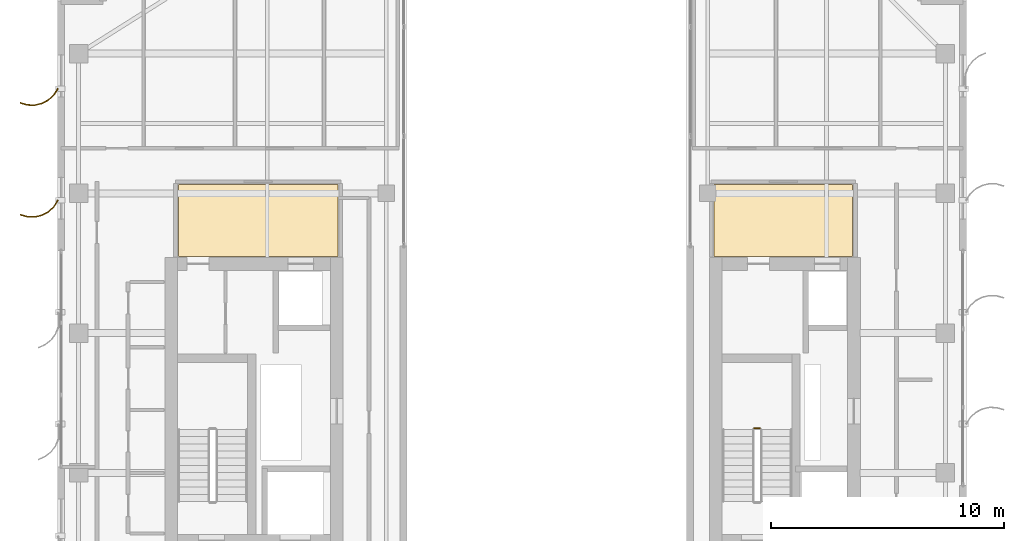
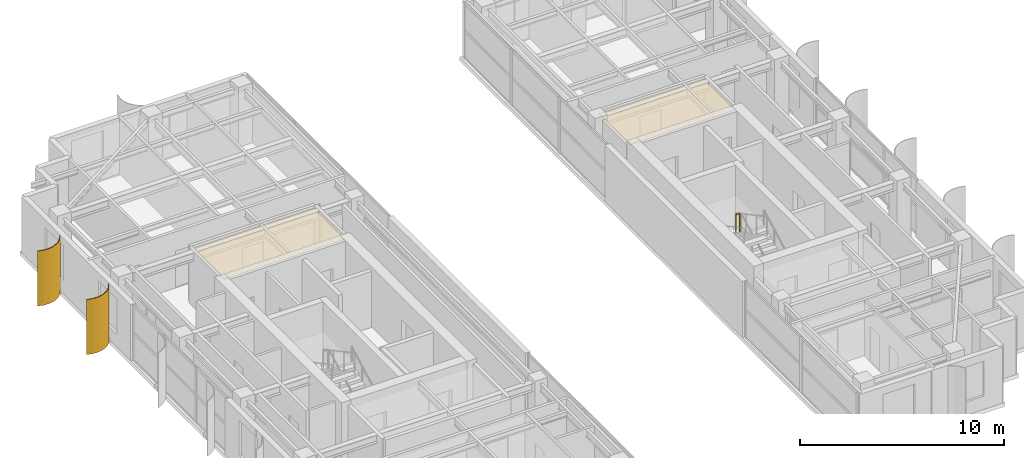
# One storey, part 23 of 24: 2 coverings, 2 shading devices, 1 railing.
"""IFC4 building model written with IfcOpenShell, lengths in metres."""

from ifc_helpers import new_model, si_unit, direction, frame, origin, origin_2d, place, context, subcontext, project, spatial, polyline, circle, outline, extrude, source, transform, mapped, material, layer, layer_set, type_object, element, save


model = new_model("IFC4")

# Units and contexts
model_context = context("Model", 3, precision=1e-05, world=origin(), true_north=direction((0.0, 1.0)))
body_context = subcontext(model_context, "Body", "Model", "MODEL_VIEW")
ifc_project = project(units=[si_unit("LENGTHUNIT", "METRE"), si_unit("AREAUNIT", "SQUARE_METRE"), si_unit("VOLUMEUNIT", "CUBIC_METRE"), si_unit("PLANEANGLEUNIT", "RADIAN"), si_unit("MASSUNIT", "GRAM", prefix="KILO")], contexts=[model_context])

# Site, building, storey
site_placement = place(None, origin())
site = spatial("IfcSite", under=ifc_project, at=site_placement, CompositionType="ELEMENT")
building_placement = place(site_placement, origin())
building = spatial("IfcBuilding", under=site, at=building_placement, Name="Khoralis Quay Care Tower", CompositionType="ELEMENT")
storey_placement = place(building_placement, frame((0.0, 0.0, 231.300048828125)))
storey = spatial("IfcBuildingStorey", under=building, at=storey_placement, Name="L60", CompositionType="ELEMENT", Elevation=231.300048828125)

# Coverings
ifc_material_1 = material(Name="Mineral-fibre acoustic ceiling tile")
ifc_layer_1 = layer(ifc_material_1, 0.01806640625)
ifc_layer_set_1 = layer_set([ifc_layer_1], Name="Mineral-fibre acoustic ceiling tile")
covering_type = type_object("IfcCoveringType", Name="COV-CEIL-AC18", PredefinedType="CEILING", material=ifc_layer_set_1)
covering_1_placement = place(storey_placement, frame((0.0, 0.0, 3.2119140625)))
element("IfcCovering", 1, at=covering_1_placement, inside=storey, type_object=covering_type, Name="Suspended Acoustic Ceiling SP-L60-LLOB-W", PredefinedType="CEILING", context=body_context, shape_type="SweptSolid", body=[
    extrude(outline(polyline([(8.179931640625, 27.300048828125), (15.02001953125, 27.300048828125), (15.02001953125, 30.389892578125), (8.179931640625, 30.389892578125), (8.179931640625, 27.300048828125)])), origin(), (0.0, 0.0, 1.0), 0.01806640625),
])
covering_2_placement = place(storey_placement, frame((0.0, 0.0, 3.2119140625)))
element("IfcCovering", 2, at=covering_2_placement, inside=storey, type_object=covering_type, Name="Suspended Acoustic Ceiling SP-L60-LLOB-E", PredefinedType="CEILING", context=body_context, shape_type="SweptSolid", body=[
    extrude(outline(polyline([(31.179931640625, 27.300048828125), (37.1201171875, 27.300048828125), (37.1201171875, 30.389892578125), (31.179931640625, 30.389892578125), (31.179931640625, 27.300048828125)])), origin(), (0.0, 0.0, 1.0), 0.01806640625),
])

# Railing
ifc_material_2 = material(Name="Brushed stainless steel", Category="steel")
railing_type = type_object("IfcRailingType", Name="RL-GUARD-1150", PredefinedType="GUARDRAIL", material=ifc_material_2)
railing_placement = place(storey_placement, frame((33.139892578125, 19.919921875, 1.800048828125)))
element("IfcRailing", 3, at=railing_placement, inside=storey, type_object=railing_type, Name="L60 ST-T2 stair guard 2", PredefinedType="GUARDRAIL", context=body_context, shape_type="SweptSolid", body=[
    extrude(circle(Radius=0.02392578125, at=origin_2d()), frame((0.0, 0.0, 1.1259765625), z_axis=(-1.0, 0.0, 0.0), x_axis=(0.0, -1.0, 0.0)), (0.0, 0.0, 1.0), 0.239990234375),
    extrude(circle(Radius=0.02099609375, at=origin_2d()), origin(), (0.0, 0.0, 1.0), 1.101806640625),
    extrude(circle(Radius=0.02099609375, at=origin_2d()), frame((-0.239990234375, 0.0, 0.0)), (0.0, 0.0, 1.0), 1.101806640625),
])

# Shading devices
ifc_material_3 = material(Name="Brushed pale anodised aluminium", Category="aluminium")
ifc_layer_2 = layer(ifc_material_3, 0.044921875)
ifc_layer_set_2 = layer_set([ifc_layer_2], Name="Brushed pale anodised aluminium")
shading_device_type = type_object("IfcShadingDeviceType", Name="SHD-FIN-1250", PredefinedType="USERDEFINED", material=ifc_layer_set_2)
shared_shape = source(origin(), body_context, "Body", "SweptSolid", [
    extrude(outline(polyline([(0.0, 0.0), (0.17041015625, 0.2783203125), (0.4072265625, 0.5029296875), (0.694091796875, 0.658447265625), (1.01123046875, 0.734619140625), (1.33740234375, 0.72607421875), (1.650390625, 0.633544921875), (1.632080078125, 0.59228515625), (1.330322265625, 0.681640625), (1.015869140625, 0.68994140625), (0.710205078125, 0.616455078125), (0.43359375, 0.466552734375), (0.20556640625, 0.25), (0.041015625, -0.018310546875), (0.0, 0.0)])), origin(), (0.0, 0.0, 1.0), 3.300048828125),
])
for number, where, z_axis, x_axis, name in (
    (4, (3.030029296875, 34.5, 0.02001953125), (0.0, 0.0, 1.0), (-1.0, 0.0, 0.0), "L60 Curved Solar Fin P1E7-01"),
    (5, (3.030029296875, 29.699951171875, 0.02001953125), (0.0, 0.0, 1.0), (-1.0, 0.0, 0.0), "L60 Curved Solar Fin P1E7-02"),
):
    element("IfcShadingDevice", number, at=place(storey_placement, frame(where, z_axis=z_axis, x_axis=x_axis)), inside=storey, type_object=shading_device_type, Name=name, ObjectType="FIN", PredefinedType="USERDEFINED", context=body_context, shape_type="MappedRepresentation", body=[
        mapped(shared_shape, transform((0.0, 0.0, 0.0), scale=1.0)),
    ])

save(model, "model.ifc")
